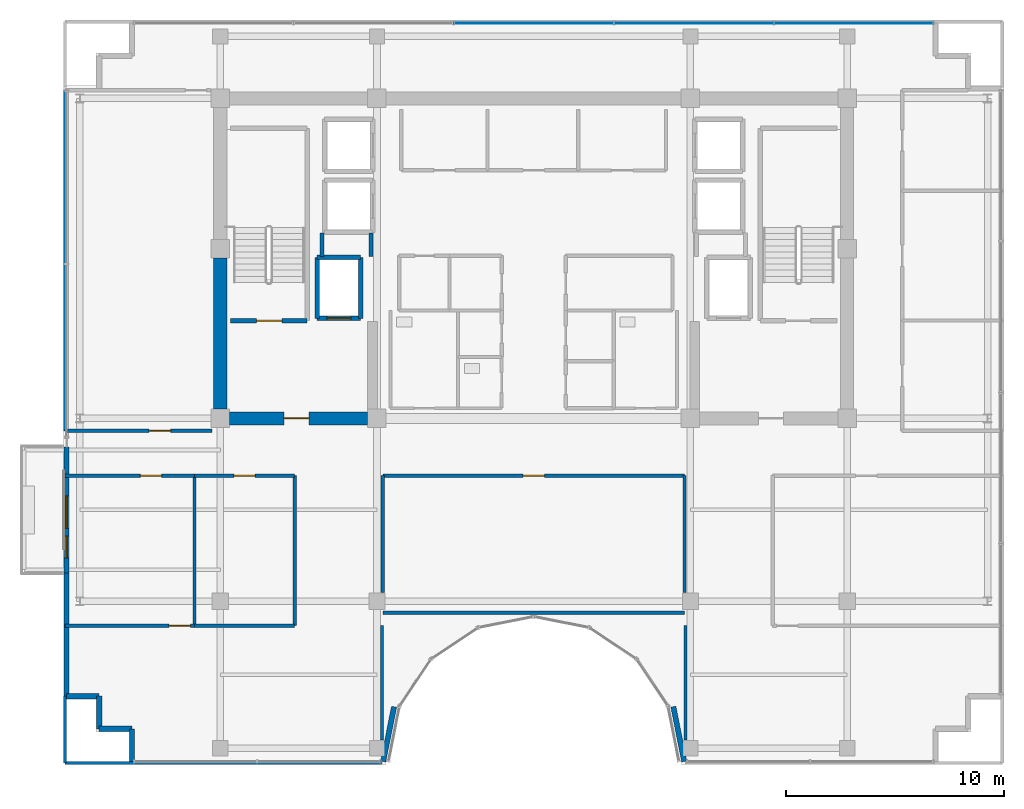
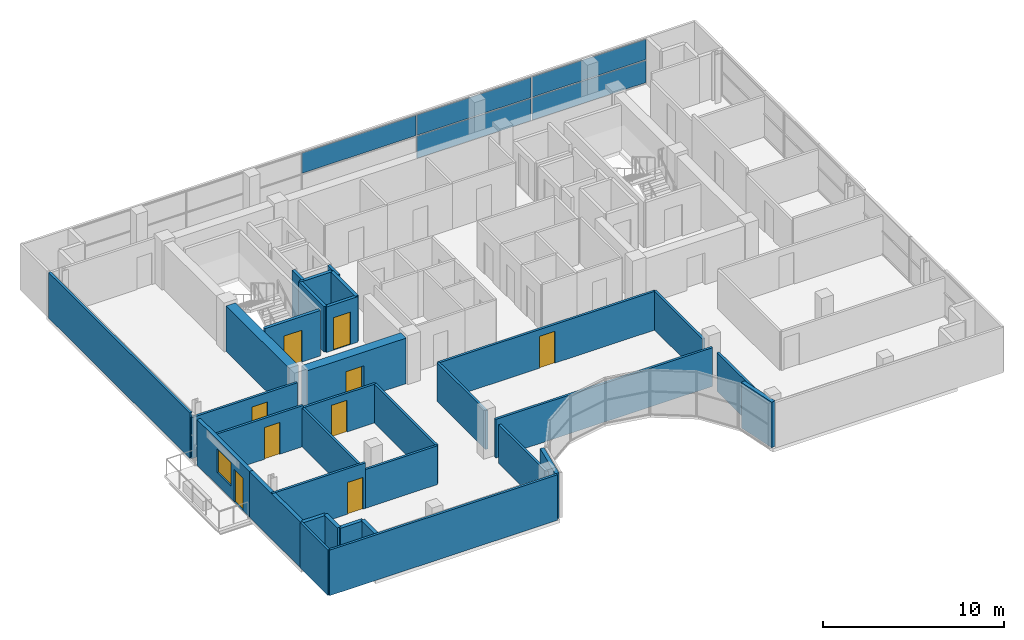
# One storey, part 22 of 28: 33 walls, 9 doors, 5 plates, 1 window, 10 openings, 1 element without a shape of its own.
"""IFC4 building model written with IfcOpenShell, lengths in metres."""

from ifc_helpers import new_model, si_unit, direction, frame, frame_2d, origin, origin_2d, place, context, subcontext, project, spatial, rectangle, extrude, source, transform, mapped, material, layer, layer_set, type_object, element, fill, aggregate, save


model = new_model("IFC4")

# Units and contexts
model_context = context("Model", 3, precision=1e-05, world=origin(), true_north=direction((0.0, 1.0)))
body_context = subcontext(model_context, "Body", "Model", "MODEL_VIEW")
ifc_project = project(units=[si_unit("LENGTHUNIT", "METRE"), si_unit("AREAUNIT", "SQUARE_METRE"), si_unit("VOLUMEUNIT", "CUBIC_METRE"), si_unit("PLANEANGLEUNIT", "RADIAN"), si_unit("MASSUNIT", "GRAM", prefix="KILO")], contexts=[model_context])

# Site, building, storey
site_placement = place(None, origin())
site = spatial("IfcSite", under=ifc_project, at=site_placement, CompositionType="ELEMENT")
building_placement = place(site_placement, origin())
building = spatial("IfcBuilding", under=site, at=building_placement, Name="Zarnakvel Exchange Tower", CompositionType="ELEMENT")
storey_placement = place(building_placement, frame((0.0, 0.0, 261.699951171875)))
storey = spatial("IfcBuildingStorey", under=building, at=storey_placement, Name="L74", CompositionType="ELEMENT", Elevation=261.699951171875)

# Curtain wall, plates
ifc_material_1 = material(Name="Architectural Bronze Anodised Aluminium", Category="aluminium")
ifc_layer_1 = layer(ifc_material_1, 0.159912109375)
ifc_layer_set_1 = layer_set([ifc_layer_1], Name="Architectural Bronze Anodised Aluminium")
curtain_wall_type = type_object("IfcCurtainWallType", Name="CW-06", PredefinedType="NOTDEFINED", material=ifc_layer_set_1)
curtain_wall_placement = place(storey_placement, origin())
curtain_wall = element("IfcCurtainWall", 1, at=curtain_wall_placement, inside=storey, type_object=curtain_wall_type, Name="L74 Curtain Wall CW-L74-N1 (CW-06)", PredefinedType="NOTDEFINED")
ifc_material_2 = material(Name="Double Low-E Laminated Vision Glass", Category="glass")
ifc_layer_2 = layer(ifc_material_2, 0.033935546875)
ifc_layer_set_2 = layer_set([ifc_layer_2], Name="Double Low-E Laminated Vision Glass")
plate_type = type_object("IfcPlateType", Name="CWP-06", PredefinedType="CURTAIN_PANEL", material=ifc_layer_set_2)
shared_shape_1 = source(origin(), body_context, "Body", "SweptSolid", [
    extrude(rectangle(XDim=7.262451171875, YDim=0.033935546875, at=origin_2d()), origin(), (0.0, 0.0, 1.0), 1.4912109375),
])
plate_1_placement = place(storey_placement, frame((14.703857421875, 16.9599609375, 0.06494140625), z_axis=(0.0, 0.0, 1.0), x_axis=(1.0, 0.0, 0.0)))
plate_1 = element("IfcPlate", 2, at=plate_1_placement, type_object=plate_type, Name="CW-06 panel 5.1", PredefinedType="CURTAIN_PANEL", context=body_context, shape_type="MappedRepresentation", body=[
    mapped(shared_shape_1, transform((0.0, 0.0, 0.0), x_axis=(1.0, 0.0, 0.0), y_axis=(0.0, 1.0, 0.0), z_axis=(0.0, 0.0, 1.0), scale=1.0)),
])
shared_shape_2 = source(origin(), body_context, "Body", "SweptSolid", [
    extrude(rectangle(XDim=7.262451171875, YDim=0.033935546875, at=origin_2d()), origin(), (0.0, 0.0, 1.0), 1.368896484375),
])
plate_2_placement = place(storey_placement, frame((14.703857421875, 16.9599609375, 1.62109375), z_axis=(0.0, 0.0, 1.0), x_axis=(1.0, 0.0, 0.0)))
plate_2 = element("IfcPlate", 3, at=plate_2_placement, type_object=plate_type, Name="CW-06 panel 5.2", PredefinedType="CURTAIN_PANEL", context=body_context, shape_type="MappedRepresentation", body=[
    mapped(shared_shape_2, transform((0.0, 0.0, 0.0), x_axis=(1.0, 0.0, 0.0), y_axis=(0.0, 1.0, 0.0), z_axis=(0.0, 0.0, 1.0), scale=1.0)),
])
shared_shape_3 = source(origin(), body_context, "Body", "SweptSolid", [
    extrude(rectangle(XDim=7.294921875, YDim=0.033935546875, at=origin_2d()), origin(), (0.0, 0.0, 1.0), 1.4912109375),
])
plate_3_placement = place(storey_placement, frame((7.360107421875, 16.9599609375, 0.06494140625), z_axis=(0.0, 0.0, 1.0), x_axis=(1.0, 0.0, 0.0)))
plate_3 = element("IfcPlate", 4, at=plate_3_placement, type_object=plate_type, Name="CW-06 panel 4.1", PredefinedType="CURTAIN_PANEL", context=body_context, shape_type="MappedRepresentation", body=[
    mapped(shared_shape_3, transform((0.0, 0.0, 0.0), x_axis=(1.0, 0.0, 0.0), y_axis=(0.0, 1.0, 0.0), z_axis=(0.0, 0.0, 1.0), scale=1.0)),
])
shared_shape_4 = source(origin(), body_context, "Body", "SweptSolid", [
    extrude(rectangle(XDim=7.294921875, YDim=0.033935546875, at=origin_2d()), origin(), (0.0, 0.0, 1.0), 1.368896484375),
])
plate_4_placement = place(storey_placement, frame((0.0, 16.9599609375, 1.62109375), z_axis=(0.0, 0.0, 1.0), x_axis=(1.0, 0.0, 0.0)))
plate_4 = element("IfcPlate", 5, at=plate_4_placement, type_object=plate_type, Name="CW-06 panel 3.2", PredefinedType="CURTAIN_PANEL", context=body_context, shape_type="MappedRepresentation", body=[
    mapped(shared_shape_4, transform((0.0, 0.0, 0.0), x_axis=(1.0, 0.0, 0.0), y_axis=(0.0, 1.0, 0.0), z_axis=(0.0, 0.0, 1.0), scale=1.0)),
])
plate_5_placement = place(storey_placement, frame((7.360107421875, 16.9599609375, 1.62109375), z_axis=(0.0, 0.0, 1.0), x_axis=(1.0, 0.0, 0.0)))
plate_5 = element("IfcPlate", 6, at=plate_5_placement, type_object=plate_type, Name="CW-06 panel 4.2", PredefinedType="CURTAIN_PANEL", context=body_context, shape_type="MappedRepresentation", body=[
    mapped(shared_shape_4, transform((0.0, 0.0, 0.0), x_axis=(1.0, 0.0, 0.0), y_axis=(0.0, 1.0, 0.0), z_axis=(0.0, 0.0, 1.0), scale=1.0)),
])
aggregate(curtain_wall, [plate_4, plate_3, plate_5, plate_1, plate_2])

# Wall
ifc_material_3 = material(Name="Concrete C50/60", Category="concrete")
ifc_layer_3 = layer(ifc_material_3, 0.60009765625)
ifc_layer_set_3 = layer_set([ifc_layer_3], Name="Concrete C50/60")
wall_type_1 = type_object("IfcWallType", Name="CW-C5", PredefinedType="SHEAR", material=ifc_layer_set_3)
wall_1_placement = place(storey_placement, frame((-14.39990234375, -0.77490234375, 0.0), z_axis=(0.0, 0.0, 1.0), x_axis=(0.0, 1.0, 0.0)))
element("IfcWall", 7, at=wall_1_placement, inside=storey, type_object=wall_type_1, Name="L74 Rear Core Shear Wall W1 (CW-C5)", PredefinedType="SHEAR", context=body_context, shape_type="SweptSolid", body=[
    extrude(rectangle(XDim=6.949951171875, YDim=0.60009765625, at=frame_2d((3.47509765625, 0.0))), origin(), (0.0, 0.0, 1.0), 3.074951171875),
])

# Wall, opening, door
wall_2_placement = place(storey_placement, frame((-7.625, -1.199951171875, 0.0), z_axis=(0.0, 0.0, 1.0), x_axis=(-1.0, 0.0, 0.0)))
wall_2 = element("IfcWall", 8, at=wall_2_placement, inside=storey, type_object=wall_type_1, Name="L74 Rear Core Shear Wall SW (CW-C5)", PredefinedType="SHEAR", context=body_context, shape_type="SweptSolid", body=[
    extrude(rectangle(XDim=6.35009765625, YDim=0.60009765625, at=frame_2d((3.175048828125, 0.0))), origin(), (0.0, 0.0, 1.0), 3.074951171875),
])
opening_1_placement = place(wall_2_placement, frame((2.699951171875, 0.0, 0.0)))
opening_1 = element("IfcOpeningElement", 9, at=opening_1_placement, cuts=wall_2, Name="Opening D-L74-03", PredefinedType="OPENING", context=body_context, shape_type="SweptSolid", body=[
    extrude(rectangle(XDim=1.14990234375, YDim=2.14990234375, at=frame_2d((0.574951171875, 1.074951171875))), frame((0.0, 0.31005859375, 0.0), z_axis=(0.0, -1.0, 0.0), x_axis=(1.0, 0.0, 0.0)), (0.0, 0.0, 1.0), 0.6201171875),
])
ifc_material_4 = material(Name="Painted Galvanised Steel S355", Category="steel")
door_type_1 = type_object("IfcDoorType", Name="DT-04", OperationType="NOTDEFINED", PredefinedType="DOOR", material=ifc_material_4)
shared_shape_5 = source(origin(), body_context, "Body", "SweptSolid", [
    extrude(rectangle(XDim=1.14990234375, YDim=2.14990234375, at=frame_2d((0.574951171875, 1.074951171875))), frame((0.0, 0.02490234375, 0.0), z_axis=(0.0, -1.0, 0.0), x_axis=(1.0, 0.0, 0.0)), (0.0, 0.0, 1.0), 0.050048828125),
])
door_1_placement = place(opening_1_placement, origin())
door_1 = element("IfcDoor", 10, at=door_1_placement, inside=storey, type_object=door_type_1, Name="L74 Firefighting Lobby West Door D-L74-03", OperationType="SINGLE_SWING_RIGHT", OverallHeight=2.14990234375, OverallWidth=1.14990234375, PredefinedType="DOOR", context=body_context, shape_type="MappedRepresentation", body=[
    mapped(shared_shape_5, transform((0.0, 0.0, 0.0), x_axis=(1.0, 0.0, 0.0), y_axis=(0.0, 1.0, 0.0), z_axis=(0.0, 0.0, 1.0), scale=1.0)),
])
fill(opening_1, door_1)

# Wall, openings, door, window
ifc_material_5 = material(Name="Precast concrete C40/50", Category="concrete")
ifc_layer_4 = layer(ifc_material_5, 0.239990234375)
ifc_layer_set_4 = layer_set([ifc_layer_4], Name="Precast concrete C40/50")
wall_type_2 = type_object("IfcWallType", Name="EW-02", PredefinedType="SOLIDWALL", material=ifc_layer_set_4)
wall_3_placement = place(storey_placement, frame((-21.4599609375, -8.300048828125, 0.0), z_axis=(0.0, 0.0, 1.0), x_axis=(0.0, 1.0, 0.0)))
wall_3 = element("IfcWall", 11, at=wall_3_placement, inside=storey, type_object=wall_type_2, Name="L74 Exterior Precast Spandrel Wall EW-BAL-L74-W (EW-02)", PredefinedType="SOLIDWALL", context=body_context, shape_type="SweptSolid", body=[
    extrude(rectangle(XDim=5.800048828125, YDim=0.239990234375, at=frame_2d((2.89990234375, 0.0))), origin(), (0.0, 0.0, 1.0), 3.074951171875),
])
opening_2_placement = place(wall_3_placement, frame((0.696044921875, 0.0, 0.0)))
opening_2 = element("IfcOpeningElement", 12, at=opening_2_placement, cuts=wall_3, Name="Opening BD-L74-01", PredefinedType="OPENING", context=body_context, shape_type="SweptSolid", body=[
    extrude(rectangle(XDim=1.0, YDim=2.199951171875, at=frame_2d((0.5, 1.10009765625))), frame((0.0, 0.1298828125, 0.0), z_axis=(0.0, -1.0, 0.0), x_axis=(1.0, 0.0, 0.0)), (0.0, 0.0, 1.0), 0.260009765625),
])
opening_3_placement = place(wall_3_placement, frame((2.0458984375, 0.0, 0.85009765625)))
opening_3 = element("IfcOpeningElement", 13, at=opening_3_placement, cuts=wall_3, Name="Opening WN-03", PredefinedType="OPENING", context=body_context, shape_type="SweptSolid", body=[
    extrude(rectangle(XDim=1.5, YDim=1.60009765625, at=frame_2d((0.75, 0.800048828125))), frame((0.0, 0.1298828125, 0.0), z_axis=(0.0, -1.0, 0.0), x_axis=(1.0, 0.0, 0.0)), (0.0, 0.0, 1.0), 0.260009765625),
])
door_type_2 = type_object("IfcDoorType", Name="DT-09", OperationType="NOTDEFINED", PredefinedType="DOOR", material=ifc_material_1)
shared_shape_6 = source(origin(), body_context, "Body", "SweptSolid", [
    extrude(rectangle(XDim=1.0, YDim=2.199951171875, at=frame_2d((0.5, 1.10009765625))), frame((0.0, 0.02490234375, 0.0), z_axis=(0.0, -1.0, 0.0), x_axis=(1.0, 0.0, 0.0)), (0.0, 0.0, 1.0), 0.050048828125),
])
door_2_placement = place(opening_2_placement, origin())
door_2 = element("IfcDoor", 14, at=door_2_placement, inside=storey, type_object=door_type_2, Name="L74 Planted Loggia Balcony Door BD-L74-01", OperationType="SINGLE_SWING_RIGHT", OverallHeight=2.199951171875, OverallWidth=1.0, PredefinedType="DOOR", context=body_context, shape_type="MappedRepresentation", body=[
    mapped(shared_shape_6, transform((0.0, 0.0, 0.0), x_axis=(1.0, 0.0, 0.0), y_axis=(0.0, 1.0, 0.0), z_axis=(0.0, 0.0, 1.0), scale=1.0)),
])
fill(opening_2, door_2)
window_type = type_object("IfcWindowType", Name="WN-03", PartitioningType="SINGLE_PANEL", PredefinedType="WINDOW", material=ifc_material_2)
shared_shape_7 = source(origin(), body_context, "Body", "SweptSolid", [
    extrude(rectangle(XDim=1.5, YDim=1.60009765625, at=frame_2d((0.75, 0.800048828125))), frame((0.0, 0.030029296875, 0.0), z_axis=(0.0, -1.0, 0.0), x_axis=(1.0, 0.0, 0.0)), (0.0, 0.0, 1.0), 0.06005859375),
])
window_placement = place(opening_3_placement, origin())
window = element("IfcWindow", 15, at=window_placement, inside=storey, type_object=window_type, Name="L74 Loggia Daylight Window (WN-03)", OverallHeight=1.60009765625, OverallWidth=1.5, PartitioningType="SINGLE_PANEL", PredefinedType="WINDOW", context=body_context, shape_type="MappedRepresentation", body=[
    mapped(shared_shape_7, transform((0.0, 0.0, 0.0), x_axis=(1.0, 0.0, 0.0), y_axis=(0.0, 1.0, 0.0), z_axis=(0.0, 0.0, 1.0), scale=1.0)),
])
fill(opening_3, window)

# Walls
wall_4_placement = place(storey_placement, frame((-21.4599609375, -8.300048828125, 0.0), z_axis=(0.0, 0.0, 1.0), x_axis=(0.0, -1.0, 0.0)))
element("IfcWall", 16, at=wall_4_placement, inside=storey, type_object=wall_type_2, Name="L74 Exterior Precast Spandrel Wall EWC-L74-01 (EW-02)", PredefinedType="SOLIDWALL", context=body_context, shape_type="SweptSolid", body=[
    extrude(rectangle(XDim=5.659912109375, YDim=0.239990234375, at=frame_2d((2.830078125, 0.0))), origin(), (0.0, 0.0, 1.0), 3.074951171875),
])
for number, where, z_axis, x_axis, name in (
    (17, (6.414306640625, -14.443115234375, 0.0), (0.0, 0.0, 1.0), (0.195036545742, -0.980795975637, 0.0), "L74 Exterior Precast Spandrel Wall EWC-L74-15 (EW-02)"),
    (18, (-6.914794921875, -16.9599609375, 0.0), (0.0, 0.0, 1.0), (0.195036545742, 0.980795975637, 0.0), "L74 Exterior Precast Spandrel Wall EWC-L74-16 (EW-02)"),
):
    element("IfcWall", number, at=place(storey_placement, frame(where, z_axis=z_axis, x_axis=x_axis)), inside=storey, type_object=wall_type_2, Name=name, PredefinedType="SOLIDWALL", context=body_context, shape_type="SweptSolid", body=[
        extrude(rectangle(XDim=2.566162109375, YDim=0.239990234375, at=frame_2d((1.283203125, 0.0))), origin(), (0.0, 0.0, 1.0), 3.074951171875),
    ])
for number, where, z_axis, x_axis, name in (
    (19, (-18.4599609375, -15.4599609375, 0.0), (0.0, 0.0, 1.0), (0.0, -1.0, 0.0), "L74 Exterior Precast Spandrel Wall EWC-L74-17 (EW-02)"),
    (20, (-19.9599609375, -15.4599609375, 0.0), (0.0, 0.0, 1.0), (1.0, 0.0, 0.0), "L74 Exterior Precast Spandrel Wall EWC-L74-18 (EW-02)"),
    (21, (-19.9599609375, -13.9599609375, 0.0), (0.0, 0.0, 1.0), (0.0, -1.0, 0.0), "L74 Exterior Precast Spandrel Wall EWC-L74-19 (EW-02)"),
    (22, (-21.4599609375, -13.9599609375, 0.0), (0.0, 0.0, 1.0), (1.0, 0.0, 0.0), "L74 Exterior Precast Spandrel Wall EWC-L74-20 (EW-02)"),
):
    element("IfcWall", number, at=place(storey_placement, frame(where, z_axis=z_axis, x_axis=x_axis)), inside=storey, type_object=wall_type_2, Name=name, PredefinedType="SOLIDWALL", context=body_context, shape_type="SweptSolid", body=[
        extrude(rectangle(XDim=1.5, YDim=0.239990234375, at=frame_2d((0.75, 0.0))), origin(), (0.0, 0.0, 1.0), 3.074951171875),
    ])

# Wall, opening, door
ifc_material_6 = material(Name="Fire-Rated Gypsum Stud Partition", Category="gypsum")
ifc_layer_5 = layer(ifc_material_6, 0.14990234375)
ifc_layer_set_5 = layer_set([ifc_layer_5], Name="Fire-Rated Gypsum Stud Partition")
wall_type_3 = type_object("IfcWallType", Name="PT-01", PredefinedType="PARTITIONING", material=ifc_layer_set_5)
wall_5_placement = place(storey_placement, frame((-15.587890625, -10.719970703125, 0.0), z_axis=(0.0, 0.0, 1.0), x_axis=(-1.0, 0.0, 0.0)))
wall_5 = element("IfcWall", 23, at=wall_5_placement, inside=storey, type_object=wall_type_3, Name="L74 Partition Wall PWALL-L74-044 (PT-01)", PredefinedType="PARTITIONING", context=body_context, shape_type="SweptSolid", body=[
    extrude(rectangle(XDim=5.942138671875, YDim=0.14990234375, at=frame_2d((2.97119140625, 0.0))), origin(), (0.0, 0.0, 1.0), 3.074951171875),
])
opening_4_placement = place(wall_5_placement, frame((0.179931640625, 0.0, 0.0)))
opening_4 = element("IfcOpeningElement", 24, at=opening_4_placement, cuts=wall_5, Name="Opening D-L74-19", PredefinedType="OPENING", context=body_context, shape_type="SweptSolid", body=[
    extrude(rectangle(XDim=0.97998046875, YDim=2.14990234375, at=frame_2d((0.489990234375, 1.074951171875))), frame((0.0, 0.0849609375, 0.0), z_axis=(0.0, -1.0, 0.0), x_axis=(1.0, 0.0, 0.0)), (0.0, 0.0, 1.0), 0.169921875),
])
ifc_material_7 = material(Name="Timber Acoustic Veneer", Category="wood")
door_type_3 = type_object("IfcDoorType", Name="DT-05", OperationType="NOTDEFINED", PredefinedType="DOOR", material=ifc_material_7)
shared_shape_8 = source(origin(), body_context, "Body", "SweptSolid", [
    extrude(rectangle(XDim=0.97998046875, YDim=2.14990234375, at=frame_2d((0.489990234375, 1.074951171875))), frame((0.0, 0.02490234375, 0.0), z_axis=(0.0, -1.0, 0.0), x_axis=(1.0, 0.0, 0.0)), (0.0, 0.0, 1.0), 0.050048828125),
])
door_3_placement = place(opening_4_placement, origin())
door_3 = element("IfcDoor", 25, at=door_3_placement, inside=storey, type_object=door_type_3, Name="L74 Institutional Dealing Room Door D-L74-19", OperationType="SINGLE_SWING_RIGHT", OverallHeight=2.14990234375, OverallWidth=0.97998046875, PredefinedType="DOOR", context=body_context, shape_type="MappedRepresentation", body=[
    mapped(shared_shape_8, transform((0.0, 0.0, 0.0), x_axis=(1.0, 0.0, 0.0), y_axis=(0.0, 1.0, 0.0), z_axis=(0.0, 0.0, 1.0), scale=1.0)),
])
fill(opening_4, door_3)

wall_6_placement = place(storey_placement, frame((-21.530029296875, -3.830078125, 0.0), z_axis=(0.0, 0.0, 1.0), x_axis=(1.0, 0.0, 0.0)))
wall_6 = element("IfcWall", 26, at=wall_6_placement, inside=storey, type_object=wall_type_3, Name="L74 Partition Wall PWALL-L74-045 (PT-01)", PredefinedType="PARTITIONING", context=body_context, shape_type="SweptSolid", body=[
    extrude(rectangle(XDim=5.942138671875, YDim=0.14990234375, at=frame_2d((2.97119140625, 0.0))), origin(), (0.0, 0.0, 1.0), 2.76513671875),
])
opening_5_placement = place(wall_6_placement, frame((3.4560546875, 0.0, 0.0)))
opening_5 = element("IfcOpeningElement", 27, at=opening_5_placement, cuts=wall_6, Name="Opening D-L74-17", PredefinedType="OPENING", context=body_context, shape_type="SweptSolid", body=[
    extrude(rectangle(XDim=0.97998046875, YDim=2.14990234375, at=frame_2d((0.489990234375, 1.074951171875))), frame((0.0, 0.0849609375, 0.0), z_axis=(0.0, -1.0, 0.0), x_axis=(1.0, 0.0, 0.0)), (0.0, 0.0, 1.0), 0.169921875),
])
door_4_placement = place(opening_5_placement, origin())
door_4 = element("IfcDoor", 28, at=door_4_placement, inside=storey, type_object=door_type_3, Name="L74 Institutional Dealing Room Door D-L74-17", OperationType="SINGLE_SWING_RIGHT", OverallHeight=2.14990234375, OverallWidth=0.97998046875, PredefinedType="DOOR", context=body_context, shape_type="MappedRepresentation", body=[
    mapped(shared_shape_8, transform((0.0, 0.0, 0.0), x_axis=(1.0, 0.0, 0.0), y_axis=(0.0, 1.0, 0.0), z_axis=(0.0, 0.0, 1.0), scale=1.0)),
])
fill(opening_5, door_4)

# Walls
wall_7_placement = place(storey_placement, frame((-15.587890625, -3.830078125, 0.0), z_axis=(0.0, 0.0, 1.0), x_axis=(0.0, -1.0, 0.0)))
element("IfcWall", 29, at=wall_7_placement, inside=storey, type_object=wall_type_3, Name="L74 Partition Wall PWALL-L74-047 (PT-01)", PredefinedType="PARTITIONING", context=body_context, shape_type="SweptSolid", body=[
    extrude(rectangle(XDim=6.889892578125, YDim=0.14990234375, at=frame_2d((3.44482421875, 0.0))), origin(), (0.0, 0.0, 1.0), 2.614990234375),
])
wall_8_placement = place(storey_placement, frame((-10.97998046875, -10.719970703125, 0.0), z_axis=(0.0, 0.0, 1.0), x_axis=(-1.0, 0.0, 0.0)))
element("IfcWall", 30, at=wall_8_placement, inside=storey, type_object=wall_type_3, Name="L74 Partition Wall PWALL-L74-048 (PT-01)", PredefinedType="PARTITIONING", context=body_context, shape_type="SweptSolid", body=[
    extrude(rectangle(XDim=4.60791015625, YDim=0.14990234375, at=frame_2d((2.303955078125, 0.0))), origin(), (0.0, 0.0, 1.0), 2.614990234375),
])

# Wall, opening, door
wall_9_placement = place(storey_placement, frame((-15.587890625, -3.830078125, 0.0), z_axis=(0.0, 0.0, 1.0), x_axis=(1.0, 0.0, 0.0)))
wall_9 = element("IfcWall", 31, at=wall_9_placement, inside=storey, type_object=wall_type_3, Name="L74 Partition Wall PWALL-L74-049 (PT-01)", PredefinedType="PARTITIONING", context=body_context, shape_type="SweptSolid", body=[
    extrude(rectangle(XDim=4.60791015625, YDim=0.14990234375, at=frame_2d((2.303955078125, 0.0))), origin(), (0.0, 0.0, 1.0), 2.614990234375),
])
opening_6_placement = place(wall_9_placement, frame((1.813720703125, 0.0, 0.0)))
opening_6 = element("IfcOpeningElement", 32, at=opening_6_placement, cuts=wall_9, Name="Opening D-L74-18", PredefinedType="OPENING", context=body_context, shape_type="SweptSolid", body=[
    extrude(rectangle(XDim=0.97998046875, YDim=2.14990234375, at=frame_2d((0.489990234375, 1.074951171875))), frame((0.0, 0.0849609375, 0.0), z_axis=(0.0, -1.0, 0.0), x_axis=(1.0, 0.0, 0.0)), (0.0, 0.0, 1.0), 0.169921875),
])
door_5_placement = place(opening_6_placement, origin())
door_5 = element("IfcDoor", 33, at=door_5_placement, inside=storey, type_object=door_type_3, Name="L74 Clearing Office Door D-L74-18", OperationType="SINGLE_SWING_LEFT", OverallHeight=2.14990234375, OverallWidth=0.97998046875, PredefinedType="DOOR", context=body_context, shape_type="MappedRepresentation", body=[
    mapped(shared_shape_8, transform((0.0, 0.0, 0.0), x_axis=(1.0, 0.0, 0.0), y_axis=(0.0, 1.0, 0.0), z_axis=(0.0, 0.0, 1.0), scale=1.0)),
])
fill(opening_6, door_5)

# Walls
wall_10_placement = place(storey_placement, frame((-10.97998046875, -3.830078125, 0.0), z_axis=(0.0, 0.0, 1.0), x_axis=(0.0, -1.0, 0.0)))
element("IfcWall", 34, at=wall_10_placement, inside=storey, type_object=wall_type_3, Name="L74 Partition Wall PWALL-L74-050 (PT-01)", PredefinedType="PARTITIONING", context=body_context, shape_type="SweptSolid", body=[
    extrude(rectangle(XDim=6.889892578125, YDim=0.14990234375, at=frame_2d((3.44482421875, 0.0))), origin(), (0.0, 0.0, 1.0), 2.614990234375),
])
wall_11_placement = place(storey_placement, frame((-6.969970703125, -17.030029296875, 0.0), z_axis=(0.0, 0.0, 1.0), x_axis=(-1.0, 0.0, 0.0)))
element("IfcWall", 35, at=wall_11_placement, inside=storey, type_object=wall_type_3, Name="L74 Partition Wall PWALL-L74-051 (PT-01)", PredefinedType="PARTITIONING", context=body_context, shape_type="SweptSolid", body=[
    extrude(rectangle(XDim=14.56005859375, YDim=0.14990234375, at=frame_2d((7.280029296875, 0.0))), origin(), (0.0, 0.0, 1.0), 3.074951171875),
])
wall_12_placement = place(storey_placement, frame((-21.530029296875, -17.030029296875, 0.0), z_axis=(0.0, 0.0, 1.0), x_axis=(0.0, 1.0, 0.0)))
element("IfcWall", 36, at=wall_12_placement, inside=storey, type_object=wall_type_3, Name="L74 Partition Wall PWALL-L74-052 (PT-01)", PredefinedType="PARTITIONING", context=body_context, shape_type="SweptSolid", body=[
    extrude(rectangle(XDim=3.070068359375, YDim=0.14990234375, at=frame_2d((1.53515625, 0.0))), origin(), (0.0, 0.0, 1.0), 3.074951171875),
])
for number, where, z_axis, x_axis, name in (
    (37, (-6.969970703125, -10.719970703125, 0.0), (0.0, 0.0, 1.0), (0.0, -1.0, 0.0), "L74 Partition Wall PWALL-L74-053 (PT-01)"),
    (38, (6.969970703125, -15.97998046875, 0.0), (0.0, 0.0, 1.0), (0.0, 1.0, 0.0), "L74 Partition Wall PWALL-L74-059 (PT-01)"),
):
    element("IfcWall", number, at=place(storey_placement, frame(where, z_axis=z_axis, x_axis=x_axis)), inside=storey, type_object=wall_type_3, Name=name, PredefinedType="PARTITIONING", context=body_context, shape_type="SweptSolid", body=[
        extrude(rectangle(XDim=5.260009765625, YDim=0.14990234375, at=frame_2d((2.6298828125, 0.0))), origin(), (0.0, 0.0, 1.0), 2.614990234375),
    ])
wall_13_placement = place(storey_placement, frame((6.929931640625, -10.1298828125, 0.0), z_axis=(0.0, 0.0, 1.0), x_axis=(-1.0, 0.0, 0.0)))
element("IfcWall", 39, at=wall_13_placement, inside=storey, type_object=wall_type_3, Name="L74 Partition Wall PWALL-L74-061 (PT-01)", PredefinedType="PARTITIONING", context=body_context, shape_type="SweptSolid", body=[
    extrude(rectangle(XDim=13.85986328125, YDim=0.14990234375, at=frame_2d((6.929931640625, 0.0))), origin(), (0.0, 0.0, 1.0), 2.614990234375),
])

# Wall, opening, door
wall_14_placement = place(storey_placement, frame((-6.929931640625, -3.830078125, 0.0), z_axis=(0.0, 0.0, 1.0), x_axis=(1.0, 0.0, 0.0)))
wall_14 = element("IfcWall", 40, at=wall_14_placement, inside=storey, type_object=wall_type_3, Name="L74 Partition Wall PWALL-L74-062 (PT-01)", PredefinedType="PARTITIONING", context=body_context, shape_type="SweptSolid", body=[
    extrude(rectangle(XDim=13.85986328125, YDim=0.14990234375, at=frame_2d((6.929931640625, 0.0))), origin(), (0.0, 0.0, 1.0), 2.614990234375),
])
opening_7_placement = place(wall_14_placement, frame((6.43994140625, 0.0, 0.0)))
opening_7 = element("IfcOpeningElement", 41, at=opening_7_placement, cuts=wall_14, Name="Opening D-L74-22", PredefinedType="OPENING", context=body_context, shape_type="SweptSolid", body=[
    extrude(rectangle(XDim=0.97998046875, YDim=2.14990234375, at=frame_2d((0.489990234375, 1.074951171875))), frame((0.0, 0.0849609375, 0.0), z_axis=(0.0, -1.0, 0.0), x_axis=(1.0, 0.0, 0.0)), (0.0, 0.0, 1.0), 0.169921875),
])
door_6_placement = place(opening_7_placement, origin())
door_6 = element("IfcDoor", 42, at=door_6_placement, inside=storey, type_object=door_type_3, Name="L74 Reception Lounge Door D-L74-22", OperationType="SINGLE_SWING_LEFT", OverallHeight=2.14990234375, OverallWidth=0.97998046875, PredefinedType="DOOR", context=body_context, shape_type="MappedRepresentation", body=[
    mapped(shared_shape_8, transform((0.0, 0.0, 0.0), x_axis=(1.0, 0.0, 0.0), y_axis=(0.0, 1.0, 0.0), z_axis=(0.0, 0.0, 1.0), scale=1.0)),
])
fill(opening_7, door_6)

# Walls
for number, where, z_axis, x_axis, name in (
    (43, (-6.929931640625, -9.205078125, 0.0), (0.0, 0.0, 1.0), (0.0, 1.0, 0.0), "L74 Partition Wall PWALL-L74-063 (PT-01)"),
    (44, (6.929931640625, -3.830078125, 0.0), (0.0, 0.0, 1.0), (0.0, -1.0, 0.0), "L74 Partition Wall PWALL-L74-064 (PT-01)"),
):
    element("IfcWall", number, at=place(storey_placement, frame(where, z_axis=z_axis, x_axis=x_axis)), inside=storey, type_object=wall_type_3, Name=name, PredefinedType="PARTITIONING", context=body_context, shape_type="SweptSolid", body=[
        extrude(rectangle(XDim=5.375, YDim=0.14990234375, at=frame_2d((2.6875, 0.0))), origin(), (0.0, 0.0, 1.0), 2.614990234375),
    ])

# Wall, opening, door
wall_15_placement = place(storey_placement, frame((-14.77001953125, -1.77001953125, 0.0), z_axis=(0.0, 0.0, 1.0), x_axis=(-1.0, 0.0, 0.0)))
wall_15 = element("IfcWall", 45, at=wall_15_placement, inside=storey, type_object=wall_type_3, Name="L74 Partition Wall PWALL-L74-065 (PT-01)", PredefinedType="PARTITIONING", context=body_context, shape_type="SweptSolid", body=[
    extrude(rectangle(XDim=6.760009765625, YDim=0.14990234375, at=frame_2d((3.3798828125, 0.0))), origin(), (0.0, 0.0, 1.0), 2.76513671875),
])
opening_8_placement = place(wall_15_placement, frame((1.9150390625, 0.0, 0.0)))
opening_8 = element("IfcOpeningElement", 46, at=opening_8_placement, cuts=wall_15, Name="Opening D-L74-23", PredefinedType="OPENING", context=body_context, shape_type="SweptSolid", body=[
    extrude(rectangle(XDim=0.97998046875, YDim=2.14990234375, at=frame_2d((0.489990234375, 1.074951171875))), frame((0.0, 0.0849609375, 0.0), z_axis=(0.0, -1.0, 0.0), x_axis=(1.0, 0.0, 0.0)), (0.0, 0.0, 1.0), 0.169921875),
])
door_7_placement = place(opening_8_placement, origin())
door_7 = element("IfcDoor", 47, at=door_7_placement, inside=storey, type_object=door_type_3, Name="L74 Meeting Room Door D-L74-23", OperationType="SINGLE_SWING_RIGHT", OverallHeight=2.14990234375, OverallWidth=0.97998046875, PredefinedType="DOOR", context=body_context, shape_type="MappedRepresentation", body=[
    mapped(shared_shape_8, transform((0.0, 0.0, 0.0), x_axis=(1.0, 0.0, 0.0), y_axis=(0.0, 1.0, 0.0), z_axis=(0.0, 0.0, 1.0), scale=1.0)),
])
fill(opening_8, door_7)

# Walls
wall_16_placement = place(storey_placement, frame((-21.530029296875, -1.77001953125, 0.0), z_axis=(0.0, 0.0, 1.0), x_axis=(0.0, 1.0, 0.0)))
element("IfcWall", 48, at=wall_16_placement, inside=storey, type_object=wall_type_3, Name="L74 Partition Wall PWALL-L74-067 (PT-01)", PredefinedType="PARTITIONING", context=body_context, shape_type="SweptSolid", body=[
    extrude(rectangle(XDim=15.64990234375, YDim=0.14990234375, at=frame_2d((7.824951171875, 0.0))), origin(), (0.0, 0.0, 1.0), 3.074951171875),
])
ifc_layer_6 = layer(ifc_material_6, 0.179931640625)
ifc_layer_set_6 = layer_set([ifc_layer_6], Name="Fire-Rated Gypsum Stud Partition")
wall_type_4 = type_object("IfcWallType", Name="PT-02", PredefinedType="PARTITIONING", material=ifc_layer_set_6)
wall_17_placement = place(storey_placement, frame((-9.72998046875, 6.239990234375, 0.0), z_axis=(0.0, 0.0, 1.0), x_axis=(0.0, 1.0, 0.0)))
element("IfcWall", 49, at=wall_17_placement, inside=storey, type_object=wall_type_4, Name="L74 Partition Wall PWALL-L74-007 (PT-02)", PredefinedType="PARTITIONING", context=body_context, shape_type="SweptSolid", body=[
    extrude(rectangle(XDim=1.090087890625, YDim=0.179931640625, at=frame_2d((0.544921875, 0.0))), origin(), (0.0, 0.0, 1.0), 3.074951171875),
])
wall_18_placement = place(storey_placement, frame((-7.469970703125, 7.330078125, 0.0), z_axis=(0.0, 0.0, 1.0), x_axis=(0.0, -1.0, 0.0)))
element("IfcWall", 50, at=wall_18_placement, inside=storey, type_object=wall_type_4, Name="L74 Partition Wall PWALL-L74-008 (PT-02)", PredefinedType="PARTITIONING", context=body_context, shape_type="SweptSolid", body=[
    extrude(rectangle(XDim=1.090087890625, YDim=0.179931640625, at=frame_2d((0.544921875, 0.0))), origin(), (0.0, 0.0, 1.0), 2.614990234375),
])

# Wall, opening, door
ifc_material_8 = material(Name="Concrete C40/50", Category="concrete")
ifc_layer_7 = layer(ifc_material_8, 0.199951171875)
ifc_layer_set_7 = layer_set([ifc_layer_7], Name="Concrete C40/50")
wall_type_5 = type_object("IfcWallType", Name="SW-01", PredefinedType="SOLIDWALL", material=ifc_layer_set_7)
wall_19_placement = place(storey_placement, frame((-7.949951171875, 3.39990234375, 0.0), z_axis=(0.0, 0.0, 1.0), x_axis=(-1.0, 0.0, 0.0)))
wall_19 = element("IfcWall", 51, at=wall_19_placement, inside=storey, type_object=wall_type_5, Name="L74 FL-01 Hoistway Wall South", PredefinedType="SOLIDWALL", context=body_context, shape_type="SweptSolid", body=[
    extrude(rectangle(XDim=2.0, YDim=0.199951171875, at=frame_2d((1.0, 0.0))), origin(), (0.0, 0.0, 1.0), 3.074951171875),
])
opening_9_placement = place(wall_19_placement, frame((0.449951171875, 0.0, 0.0)))
opening_9 = element("IfcOpeningElement", 52, at=opening_9_placement, cuts=wall_19, Name="Opening LD-FL-01-L74", PredefinedType="OPENING", context=body_context, shape_type="SweptSolid", body=[
    extrude(rectangle(XDim=1.10009765625, YDim=2.199951171875, at=frame_2d((0.550048828125, 1.10009765625))), frame((0.0, 0.10986328125, 0.0), z_axis=(0.0, -1.0, 0.0), x_axis=(1.0, 0.0, 0.0)), (0.0, 0.0, 1.0), 0.219970703125),
])
ifc_material_9 = material(Name="Brushed Stainless Steel", Category="steel")
door_type_4 = type_object("IfcDoorType", Name="LDT-01", OperationType="NOTDEFINED", PredefinedType="DOOR", material=ifc_material_9)
shared_shape_9 = source(origin(), body_context, "Body", "SweptSolid", [
    extrude(rectangle(XDim=1.10009765625, YDim=2.199951171875, at=frame_2d((0.550048828125, 1.10009765625))), frame((0.0, 0.02490234375, 0.0), z_axis=(0.0, -1.0, 0.0), x_axis=(1.0, 0.0, 0.0)), (0.0, 0.0, 1.0), 0.050048828125),
])
door_8_placement = place(opening_9_placement, origin())
door_8 = element("IfcDoor", 53, at=door_8_placement, inside=storey, type_object=door_type_4, Name="L74 FL-01 Lift Landing Door LD-FL-01-L74", OperationType="DOUBLE_DOOR_SLIDING", OverallHeight=2.199951171875, OverallWidth=1.10009765625, PredefinedType="DOOR", context=body_context, shape_type="MappedRepresentation", body=[
    mapped(shared_shape_9, transform((0.0, 0.0, 0.0), x_axis=(1.0, 0.0, 0.0), y_axis=(0.0, 1.0, 0.0), z_axis=(0.0, 0.0, 1.0), scale=1.0)),
])
fill(opening_9, door_8)

# Walls
wall_20_placement = place(storey_placement, frame((-9.949951171875, 6.199951171875, 0.0), z_axis=(0.0, 0.0, 1.0), x_axis=(1.0, 0.0, 0.0)))
element("IfcWall", 54, at=wall_20_placement, inside=storey, type_object=wall_type_5, Name="L74 FL-01 Hoistway Wall North", PredefinedType="SOLIDWALL", context=body_context, shape_type="SweptSolid", body=[
    extrude(rectangle(XDim=2.0, YDim=0.199951171875, at=frame_2d((1.0, 0.0))), origin(), (0.0, 0.0, 1.0), 3.074951171875),
])
for number, where, z_axis, x_axis, name in (
    (55, (-9.949951171875, 3.39990234375, 0.0), (0.0, 0.0, 1.0), (0.0, 1.0, 0.0), "L74 FL-01 Hoistway Wall West"),
    (56, (-7.949951171875, 6.199951171875, 0.0), (0.0, 0.0, 1.0), (0.0, -1.0, 0.0), "L74 FL-01 Hoistway Wall East"),
):
    element("IfcWall", number, at=place(storey_placement, frame(where, z_axis=z_axis, x_axis=x_axis)), inside=storey, type_object=wall_type_5, Name=name, PredefinedType="SOLIDWALL", context=body_context, shape_type="SweptSolid", body=[
        extrude(rectangle(XDim=2.800048828125, YDim=0.199951171875, at=frame_2d((1.39990234375, 0.0))), origin(), (0.0, 0.0, 1.0), 3.074951171875),
    ])

# Wall, opening, door
ifc_layer_8 = layer(ifc_material_8, 0.199951171875)
ifc_layer_set_8 = layer_set([ifc_layer_8], Name="Concrete C40/50")
wall_type_6 = type_object("IfcWallType", Name="SW-02", PredefinedType="SOLIDWALL", material=ifc_layer_set_8)
wall_21_placement = place(storey_placement, frame((-10.409912109375, 3.2900390625, 0.0), z_axis=(0.0, 0.0, 1.0), x_axis=(-1.0, 0.0, 0.0)))
wall_21 = element("IfcWall", 57, at=wall_21_placement, inside=storey, type_object=wall_type_6, Name="L74 Stairwell Core Wall PWALL-L74-001 (SW-02)", PredefinedType="SOLIDWALL", context=body_context, shape_type="SweptSolid", body=[
    extrude(rectangle(XDim=3.52001953125, YDim=0.199951171875, at=frame_2d((1.760009765625, 0.0))), origin(), (0.0, 0.0, 1.0), 3.074951171875),
])
opening_10_placement = place(wall_21_placement, frame((1.1650390625, 0.0, 0.0)))
opening_10 = element("IfcOpeningElement", 58, at=opening_10_placement, cuts=wall_21, Name="Opening D-L74-01", PredefinedType="OPENING", context=body_context, shape_type="SweptSolid", body=[
    extrude(rectangle(XDim=1.14990234375, YDim=2.14990234375, at=frame_2d((0.574951171875, 1.074951171875))), frame((0.0, 0.10986328125, 0.0), z_axis=(0.0, -1.0, 0.0), x_axis=(1.0, 0.0, 0.0)), (0.0, 0.0, 1.0), 0.219970703125),
])
door_9_placement = place(opening_10_placement, origin())
door_9 = element("IfcDoor", 59, at=door_9_placement, inside=storey, type_object=door_type_1, Name="L74 Stairwell ST-01 Door D-L74-01", OperationType="SINGLE_SWING_RIGHT", OverallHeight=2.14990234375, OverallWidth=1.14990234375, PredefinedType="DOOR", context=body_context, shape_type="MappedRepresentation", body=[
    mapped(shared_shape_5, transform((0.0, 0.0, 0.0), x_axis=(1.0, 0.0, 0.0), y_axis=(0.0, 1.0, 0.0), z_axis=(0.0, 0.0, 1.0), scale=1.0)),
])
fill(opening_10, door_9)

save(model, "model.ifc")
